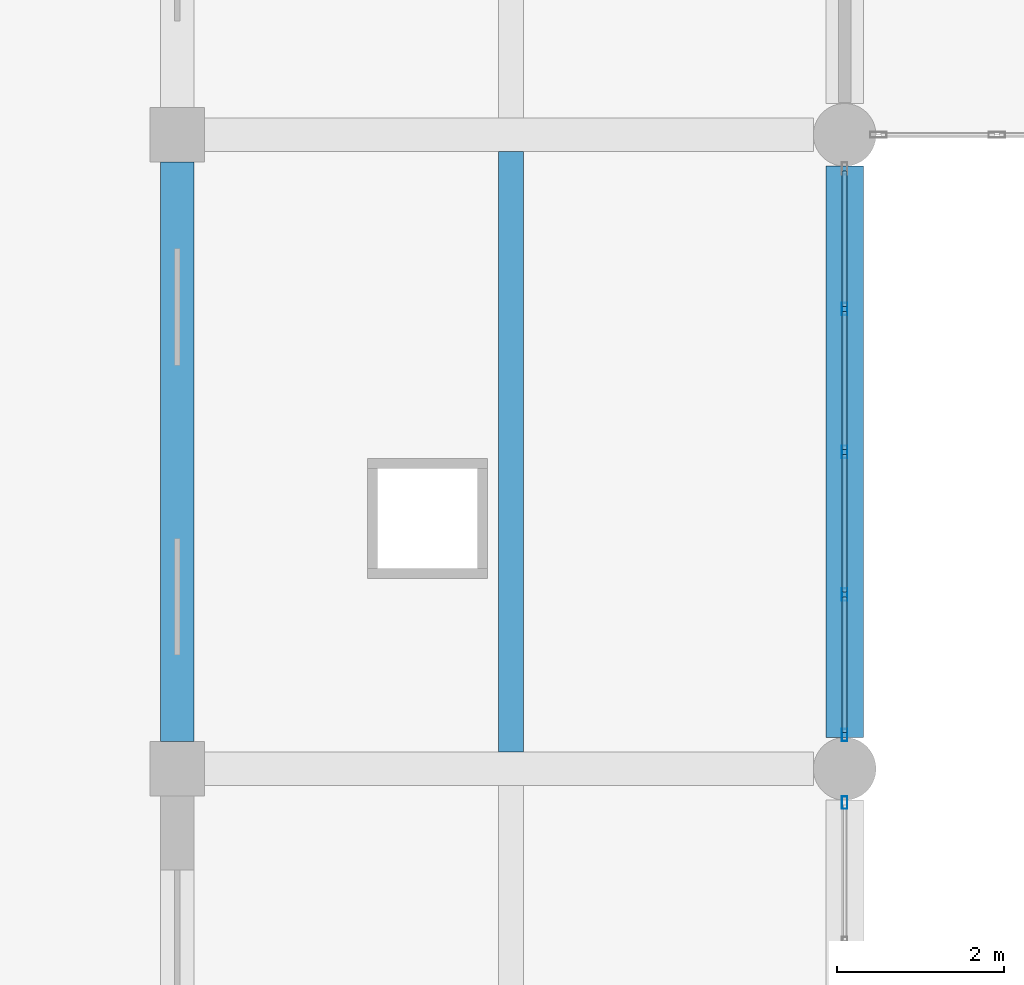
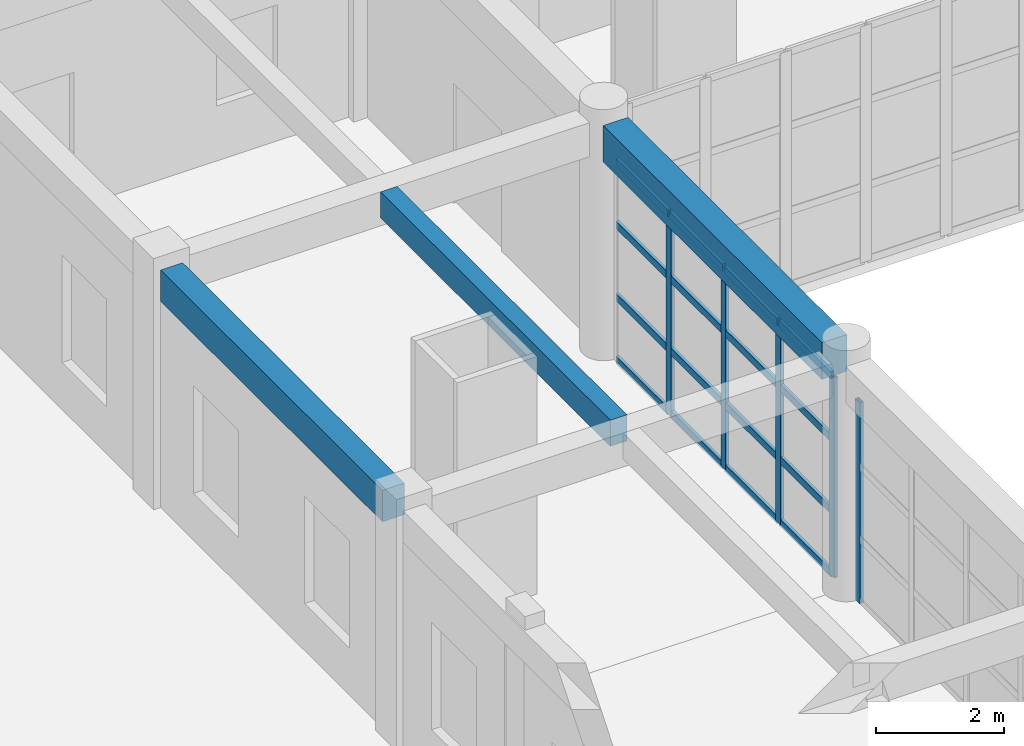
# One storey, part 13 of 101: 21 members, 3 beams, 2 elements without a shape of their own.
"""IFC4 building model written with IfcOpenShell, lengths in metres."""

from ifc_helpers import new_model, si_unit, direction, frame, origin, origin_2d, place, context, subcontext, project, spatial, rectangle, hollow_rectangle, extrude, material, material_profile, profile_set, type_object, element, aggregate, save


model = new_model("IFC4")

# Units and contexts
model_context = context("Model", 3, precision=1e-05, world=origin(), true_north=direction((0.0, 1.0)))
body_context = subcontext(model_context, "Body", "Model", "MODEL_VIEW")
ifc_project = project(units=[si_unit("LENGTHUNIT", "METRE"), si_unit("AREAUNIT", "SQUARE_METRE"), si_unit("VOLUMEUNIT", "CUBIC_METRE"), si_unit("PLANEANGLEUNIT", "RADIAN"), si_unit("MASSUNIT", "GRAM", prefix="KILO")], contexts=[model_context])

# Site, building, storey
site_placement = place(None, origin())
site = spatial("IfcSite", under=ifc_project, at=site_placement, CompositionType="ELEMENT")
building_placement = place(site_placement, origin())
building = spatial("IfcBuilding", under=site, at=building_placement, Name="Zantavel Square City Hall", CompositionType="ELEMENT")
storey_placement = place(building_placement, frame((0.0, 0.0, 5.39990234375)))
storey = spatial("IfcBuildingStorey", under=building, at=storey_placement, Name="L02", CompositionType="ELEMENT", Elevation=5.39990234375)

# Curtain wall, members
ifc_material_1 = material(Name="Anodised aluminium 6063-T6", Category="aluminium")
curtain_wall_type = type_object("IfcCurtainWallType", Name="Curtain Wall CRT 6850x3840", PredefinedType="USERDEFINED", material=ifc_material_1)
curtain_wall_1_placement = place(storey_placement, origin())
curtain_wall_1 = element("IfcCurtainWall", 1, at=curtain_wall_1_placement, inside=storey, type_object=curtain_wall_type, Name="L02 Glazed Curtain Wall CW-L02-069", ObjectType="GLAZED CURTAIN WALL", PredefinedType="USERDEFINED")
ifc_material_profile_1 = material_profile(ifc_material_1, hollow_rectangle(XDim=0.06494140625, YDim=0.14990234375, WallThickness=0.00390625, at=origin_2d()), Name="ALU 65x150x4")
ifc_profile_set_1 = profile_set([ifc_material_profile_1], Name="Anodised aluminium 6063-T6")
member_type_1 = type_object("IfcMemberType", Name="CW Mullion ALU 65x150x4", PredefinedType="MULLION", material=ifc_profile_set_1)
member_1_placement = place(storey_placement, frame((16.0, 66.3125, 0.0), z_axis=(0.0, 0.0, 1.0), x_axis=(1.0, 0.0, 0.0)))
member_1 = element("IfcMember", 2, at=member_1_placement, type_object=member_type_1, Name="CW-069 mullion 2", PredefinedType="MULLION", context=body_context, shape_type="SweptSolid", body=[
    extrude(hollow_rectangle(XDim=0.06494140625, YDim=0.14990234375, WallThickness=0.00390625, at=origin_2d()), origin(), (0.0, 0.0, 1.0), 3.840087890625),
])
member_2_placement = place(storey_placement, frame((16.0, 64.60009765625, 0.0), z_axis=(0.0, 0.0, 1.0), x_axis=(1.0, 0.0, 0.0)))
member_2 = element("IfcMember", 3, at=member_2_placement, type_object=member_type_1, Name="CW-069 mullion 3", PredefinedType="MULLION", context=body_context, shape_type="SweptSolid", body=[
    extrude(hollow_rectangle(XDim=0.06494140625, YDim=0.14990234375, WallThickness=0.00390625, at=origin_2d()), origin(), (0.0, 0.0, 1.0), 3.840087890625),
])
member_3_placement = place(storey_placement, frame((16.0, 62.887451171875, 0.0), z_axis=(0.0, 0.0, 1.0), x_axis=(1.0, 0.0, 0.0)))
member_3 = element("IfcMember", 4, at=member_3_placement, type_object=member_type_1, Name="CW-069 mullion 4", PredefinedType="MULLION", context=body_context, shape_type="SweptSolid", body=[
    extrude(hollow_rectangle(XDim=0.06494140625, YDim=0.14990234375, WallThickness=0.00390625, at=origin_2d()), origin(), (0.0, 0.0, 1.0), 3.840087890625),
])
member_4_placement = place(storey_placement, frame((16.0, 61.205078125, 0.0), z_axis=(0.0, 0.0, 1.0), x_axis=(1.0, 0.0, 0.0)))
member_4 = element("IfcMember", 5, at=member_4_placement, type_object=member_type_1, Name="CW-069 mullion 5", PredefinedType="MULLION", context=body_context, shape_type="SweptSolid", body=[
    extrude(hollow_rectangle(XDim=0.06494140625, YDim=0.14990234375, WallThickness=0.00390625, at=origin_2d()), origin(), (0.0, 0.0, 1.0), 3.840087890625),
])

# Curtain wall, member
curtain_wall_2_placement = place(storey_placement, origin())
curtain_wall_2 = element("IfcCurtainWall", 6, at=curtain_wall_2_placement, inside=storey, type_object=curtain_wall_type, Name="L02 Glazed Curtain Wall CW-L02-070", ObjectType="GLAZED CURTAIN WALL", PredefinedType="USERDEFINED")
member_5_placement = place(storey_placement, frame((16.0, 60.39501953125, 0.0), z_axis=(0.0, 0.0, 1.0), x_axis=(1.0, 0.0, 0.0)))
member_5 = element("IfcMember", 7, at=member_5_placement, type_object=member_type_1, Name="CW-070 mullion 1", PredefinedType="MULLION", context=body_context, shape_type="SweptSolid", body=[
    extrude(hollow_rectangle(XDim=0.06494140625, YDim=0.14990234375, WallThickness=0.00390625, at=origin_2d()), origin(), (0.0, 0.0, 1.0), 3.840087890625),
])
aggregate(curtain_wall_2, [member_5])

# Member
ifc_material_profile_2 = material_profile(ifc_material_1, hollow_rectangle(XDim=0.06005859375, YDim=0.139892578125, WallThickness=0.00390625, at=origin_2d()), Name="ALU 60x140x4")
ifc_profile_set_2 = profile_set([ifc_material_profile_2], Name="Anodised aluminium 6063-T6")
member_type_2 = type_object("IfcMemberType", Name="CW Transom ALU 60x140x4", PredefinedType="USERDEFINED", material=ifc_profile_set_2)
member_6_placement = place(storey_placement, frame((16.0, 67.965087890625, 0.030029296875), z_axis=(0.0, -1.0, 0.0), x_axis=(1.0, 0.0, 0.0)))
member_6 = element("IfcMember", 8, at=member_6_placement, type_object=member_type_2, Name="CW-069 transom 1.1", ObjectType="TRANSOM", PredefinedType="USERDEFINED", context=body_context, shape_type="SweptSolid", body=[
    extrude(hollow_rectangle(XDim=0.06005859375, YDim=0.139892578125, WallThickness=0.00390625, at=origin_2d()), origin(), (0.0, 0.0, 1.0), 1.62255859375),
])

member_7_placement = place(storey_placement, frame((16.0, 67.965087890625, 1.22900390625), z_axis=(0.0, -1.0, 0.0), x_axis=(1.0, 0.0, 0.0)))
member_7 = element("IfcMember", 9, at=member_7_placement, type_object=member_type_2, Name="CW-069 transom 1.2", ObjectType="TRANSOM", PredefinedType="USERDEFINED", context=body_context, shape_type="SweptSolid", body=[
    extrude(hollow_rectangle(XDim=0.06005859375, YDim=0.139892578125, WallThickness=0.00390625, at=origin_2d()), origin(), (0.0, 0.0, 1.0), 1.62255859375),
])

member_8_placement = place(storey_placement, frame((16.0, 67.965087890625, 2.611083984375), z_axis=(0.0, -1.0, 0.0), x_axis=(1.0, 0.0, 0.0)))
member_8 = element("IfcMember", 10, at=member_8_placement, type_object=member_type_2, Name="CW-069 transom 1.3", ObjectType="TRANSOM", PredefinedType="USERDEFINED", context=body_context, shape_type="SweptSolid", body=[
    extrude(hollow_rectangle(XDim=0.06005859375, YDim=0.139892578125, WallThickness=0.00390625, at=origin_2d()), origin(), (0.0, 0.0, 1.0), 1.62255859375),
])

member_9_placement = place(storey_placement, frame((16.0, 67.965087890625, 3.81005859375), z_axis=(0.0, -1.0, 0.0), x_axis=(1.0, 0.0, 0.0)))
member_9 = element("IfcMember", 11, at=member_9_placement, type_object=member_type_2, Name="CW-069 transom 1.4", ObjectType="TRANSOM", PredefinedType="USERDEFINED", context=body_context, shape_type="SweptSolid", body=[
    extrude(hollow_rectangle(XDim=0.06005859375, YDim=0.139892578125, WallThickness=0.00390625, at=origin_2d()), origin(), (0.0, 0.0, 1.0), 1.62255859375),
])

member_10_placement = place(storey_placement, frame((16.0, 66.282470703125, 0.030029296875), z_axis=(0.0, -1.0, 0.0), x_axis=(1.0, 0.0, 0.0)))
member_10 = element("IfcMember", 12, at=member_10_placement, type_object=member_type_2, Name="CW-069 transom 2.1", ObjectType="TRANSOM", PredefinedType="USERDEFINED", context=body_context, shape_type="SweptSolid", body=[
    extrude(hollow_rectangle(XDim=0.06005859375, YDim=0.139892578125, WallThickness=0.00390625, at=origin_2d()), origin(), (0.0, 0.0, 1.0), 1.652587890625),
])

member_11_placement = place(storey_placement, frame((16.0, 66.282470703125, 1.22900390625), z_axis=(0.0, -1.0, 0.0), x_axis=(1.0, 0.0, 0.0)))
member_11 = element("IfcMember", 13, at=member_11_placement, type_object=member_type_2, Name="CW-069 transom 2.2", ObjectType="TRANSOM", PredefinedType="USERDEFINED", context=body_context, shape_type="SweptSolid", body=[
    extrude(hollow_rectangle(XDim=0.06005859375, YDim=0.139892578125, WallThickness=0.00390625, at=origin_2d()), origin(), (0.0, 0.0, 1.0), 1.652587890625),
])

member_12_placement = place(storey_placement, frame((16.0, 66.282470703125, 2.611083984375), z_axis=(0.0, -1.0, 0.0), x_axis=(1.0, 0.0, 0.0)))
member_12 = element("IfcMember", 14, at=member_12_placement, type_object=member_type_2, Name="CW-069 transom 2.3", ObjectType="TRANSOM", PredefinedType="USERDEFINED", context=body_context, shape_type="SweptSolid", body=[
    extrude(hollow_rectangle(XDim=0.06005859375, YDim=0.139892578125, WallThickness=0.00390625, at=origin_2d()), origin(), (0.0, 0.0, 1.0), 1.652587890625),
])

member_13_placement = place(storey_placement, frame((16.0, 66.282470703125, 3.81005859375), z_axis=(0.0, -1.0, 0.0), x_axis=(1.0, 0.0, 0.0)))
member_13 = element("IfcMember", 15, at=member_13_placement, type_object=member_type_2, Name="CW-069 transom 2.4", ObjectType="TRANSOM", PredefinedType="USERDEFINED", context=body_context, shape_type="SweptSolid", body=[
    extrude(hollow_rectangle(XDim=0.06005859375, YDim=0.139892578125, WallThickness=0.00390625, at=origin_2d()), origin(), (0.0, 0.0, 1.0), 1.652587890625),
])

member_14_placement = place(storey_placement, frame((16.0, 64.570068359375, 0.030029296875), z_axis=(0.0, -1.0, 0.0), x_axis=(1.0, 0.0, 0.0)))
member_14 = element("IfcMember", 16, at=member_14_placement, type_object=member_type_2, Name="CW-069 transom 3.1", ObjectType="TRANSOM", PredefinedType="USERDEFINED", context=body_context, shape_type="SweptSolid", body=[
    extrude(hollow_rectangle(XDim=0.06005859375, YDim=0.139892578125, WallThickness=0.00390625, at=origin_2d()), origin(), (0.0, 0.0, 1.0), 1.652587890625),
])

member_15_placement = place(storey_placement, frame((16.0, 64.570068359375, 1.22900390625), z_axis=(0.0, -1.0, 0.0), x_axis=(1.0, 0.0, 0.0)))
member_15 = element("IfcMember", 17, at=member_15_placement, type_object=member_type_2, Name="CW-069 transom 3.2", ObjectType="TRANSOM", PredefinedType="USERDEFINED", context=body_context, shape_type="SweptSolid", body=[
    extrude(hollow_rectangle(XDim=0.06005859375, YDim=0.139892578125, WallThickness=0.00390625, at=origin_2d()), origin(), (0.0, 0.0, 1.0), 1.652587890625),
])

member_16_placement = place(storey_placement, frame((16.0, 64.570068359375, 2.611083984375), z_axis=(0.0, -1.0, 0.0), x_axis=(1.0, 0.0, 0.0)))
member_16 = element("IfcMember", 18, at=member_16_placement, type_object=member_type_2, Name="CW-069 transom 3.3", ObjectType="TRANSOM", PredefinedType="USERDEFINED", context=body_context, shape_type="SweptSolid", body=[
    extrude(hollow_rectangle(XDim=0.06005859375, YDim=0.139892578125, WallThickness=0.00390625, at=origin_2d()), origin(), (0.0, 0.0, 1.0), 1.652587890625),
])

member_17_placement = place(storey_placement, frame((16.0, 64.570068359375, 3.81005859375), z_axis=(0.0, -1.0, 0.0), x_axis=(1.0, 0.0, 0.0)))
member_17 = element("IfcMember", 19, at=member_17_placement, type_object=member_type_2, Name="CW-069 transom 3.4", ObjectType="TRANSOM", PredefinedType="USERDEFINED", context=body_context, shape_type="SweptSolid", body=[
    extrude(hollow_rectangle(XDim=0.06005859375, YDim=0.139892578125, WallThickness=0.00390625, at=origin_2d()), origin(), (0.0, 0.0, 1.0), 1.652587890625),
])

member_18_placement = place(storey_placement, frame((16.0, 62.857421875, 0.030029296875), z_axis=(0.0, -1.0, 0.0), x_axis=(1.0, 0.0, 0.0)))
member_18 = element("IfcMember", 20, at=member_18_placement, type_object=member_type_2, Name="CW-069 transom 4.1", ObjectType="TRANSOM", PredefinedType="USERDEFINED", context=body_context, shape_type="SweptSolid", body=[
    extrude(hollow_rectangle(XDim=0.06005859375, YDim=0.139892578125, WallThickness=0.00390625, at=origin_2d()), origin(), (0.0, 0.0, 1.0), 1.622314453125),
])

member_19_placement = place(storey_placement, frame((16.0, 62.857421875, 1.22900390625), z_axis=(0.0, -1.0, 0.0), x_axis=(1.0, 0.0, 0.0)))
member_19 = element("IfcMember", 21, at=member_19_placement, type_object=member_type_2, Name="CW-069 transom 4.2", ObjectType="TRANSOM", PredefinedType="USERDEFINED", context=body_context, shape_type="SweptSolid", body=[
    extrude(hollow_rectangle(XDim=0.06005859375, YDim=0.139892578125, WallThickness=0.00390625, at=origin_2d()), origin(), (0.0, 0.0, 1.0), 1.622314453125),
])

member_20_placement = place(storey_placement, frame((16.0, 62.857421875, 2.611083984375), z_axis=(0.0, -1.0, 0.0), x_axis=(1.0, 0.0, 0.0)))
member_20 = element("IfcMember", 22, at=member_20_placement, type_object=member_type_2, Name="CW-069 transom 4.3", ObjectType="TRANSOM", PredefinedType="USERDEFINED", context=body_context, shape_type="SweptSolid", body=[
    extrude(hollow_rectangle(XDim=0.06005859375, YDim=0.139892578125, WallThickness=0.00390625, at=origin_2d()), origin(), (0.0, 0.0, 1.0), 1.622314453125),
])

member_21_placement = place(storey_placement, frame((16.0, 62.857421875, 3.81005859375), z_axis=(0.0, -1.0, 0.0), x_axis=(1.0, 0.0, 0.0)))
member_21 = element("IfcMember", 23, at=member_21_placement, type_object=member_type_2, Name="CW-069 transom 4.4", ObjectType="TRANSOM", PredefinedType="USERDEFINED", context=body_context, shape_type="SweptSolid", body=[
    extrude(hollow_rectangle(XDim=0.06005859375, YDim=0.139892578125, WallThickness=0.00390625, at=origin_2d()), origin(), (0.0, 0.0, 1.0), 1.622314453125),
])

aggregate(curtain_wall_1, [member_1, member_2, member_3, member_4, member_6, member_7, member_8, member_9, member_10, member_11, member_12, member_13, member_14, member_15, member_16, member_17, member_18, member_19, member_20, member_21])

# Beams
ifc_material_2 = material(Name="Concrete C35/45", Category="concrete")
ifc_material_profile_3 = material_profile(ifc_material_2, rectangle(XDim=0.300048828125, YDim=0.5, at=origin_2d()), Name="RC 300x500")
ifc_profile_set_3 = profile_set([ifc_material_profile_3], Name="Concrete C35/45")
beam_type_1 = type_object("IfcBeamType", Name="Floor Joist RC 300x500 C35/45", PredefinedType="JOIST", material=ifc_profile_set_3)
beam_1_placement = place(storey_placement, frame((12.0, 61.0, 4.2900390625), z_axis=(0.0, 1.0, 0.0), x_axis=(-1.0, 0.0, 0.0)))
element("IfcBeam", 24, at=beam_1_placement, inside=storey, type_object=beam_type_1, Name="L02 Floor Joist JST-L02-0120-0608", PredefinedType="JOIST", context=body_context, shape_type="SweptSolid", body=[
    extrude(rectangle(XDim=0.300048828125, YDim=0.5, at=origin_2d()), origin(), (0.0, 0.0, 1.0), 7.199951171875),
])
ifc_material_profile_4 = material_profile(ifc_material_2, rectangle(XDim=0.39990234375, YDim=0.60009765625, at=origin_2d()), Name="RC 400x600")
ifc_profile_set_4 = profile_set([ifc_material_profile_4], Name="Concrete C35/45")
beam_type_2 = type_object("IfcBeamType", Name="Perimeter Spandrel RC 400x600 C35/45", PredefinedType="SPANDREL", material=ifc_profile_set_4)
beam_2_placement = place(storey_placement, frame((8.0, 61.125, 4.239990234375), z_axis=(0.0, 1.0, 0.0), x_axis=(-1.0, 0.0, 0.0)))
element("IfcBeam", 25, at=beam_2_placement, inside=storey, type_object=beam_type_2, Name="L02 Beam BMY-L02-0080-0608", PredefinedType="SPANDREL", context=body_context, shape_type="SweptSolid", body=[
    extrude(rectangle(XDim=0.39990234375, YDim=0.60009765625, at=origin_2d()), origin(), (0.0, 0.0, 1.0), 6.949951171875),
])
ifc_material_profile_5 = material_profile(ifc_material_2, rectangle(XDim=0.449951171875, YDim=0.699951171875, at=origin_2d()), Name="RC 450x700")
ifc_profile_set_5 = profile_set([ifc_material_profile_5], Name="Concrete C35/45")
beam_type_3 = type_object("IfcBeamType", Name="Primary Girder RC 450x700 C35/45", PredefinedType="BEAM", material=ifc_profile_set_5)
beam_3_placement = place(storey_placement, frame((16.0, 61.175048828125, 4.190185546875), z_axis=(0.0, 1.0, 0.0), x_axis=(-1.0, 0.0, 0.0)))
element("IfcBeam", 26, at=beam_3_placement, inside=storey, type_object=beam_type_3, Name="L02 Beam BMY-L02-0160-0608", PredefinedType="BEAM", context=body_context, shape_type="SweptSolid", body=[
    extrude(rectangle(XDim=0.449951171875, YDim=0.699951171875, at=origin_2d()), origin(), (0.0, 0.0, 1.0), 6.849853515625),
])

save(model, "model.ifc")
